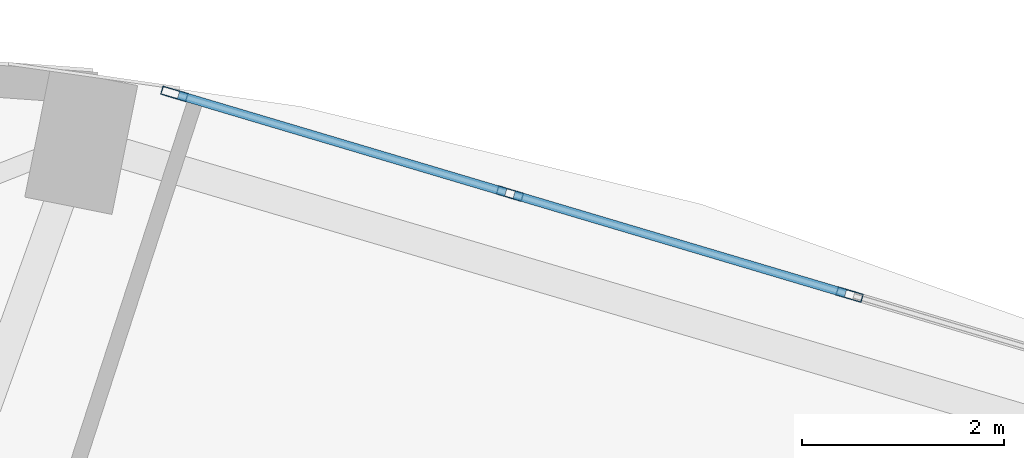
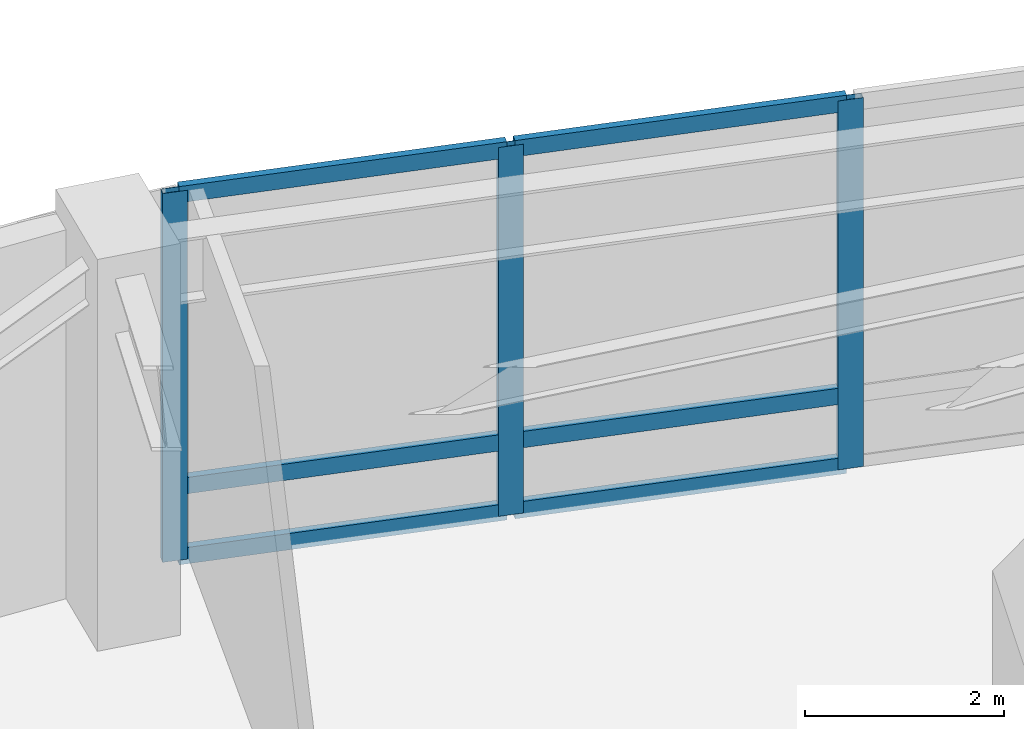
# One storey, part 18 of 24: 9 members, 1 element without a shape of its own.
"""IFC4 building model written with IfcOpenShell, lengths in metres."""

from ifc_helpers import new_model, si_unit, direction, frame, origin, origin_2d, place, context, subcontext, project, spatial, hollow_rectangle, extrude, material, layer, layer_set, material_profile, profile_set, type_object, element, aggregate, save


model = new_model("IFC4")

# Units and contexts
model_context = context("Model", 3, precision=1e-05, world=origin(), true_north=direction((0.0, 1.0)))
body_context = subcontext(model_context, "Body", "Model", "MODEL_VIEW")
ifc_project = project(units=[si_unit("LENGTHUNIT", "METRE"), si_unit("AREAUNIT", "SQUARE_METRE"), si_unit("VOLUMEUNIT", "CUBIC_METRE"), si_unit("PLANEANGLEUNIT", "RADIAN"), si_unit("MASSUNIT", "GRAM", prefix="KILO")], contexts=[model_context])

# Site, building, storey
site_placement = place(None, origin())
site = spatial("IfcSite", under=ifc_project, at=site_placement, CompositionType="ELEMENT")
building_placement = place(site_placement, origin())
building = spatial("IfcBuilding", under=site, at=building_placement, Name="Lazwardi Medical Tower", CompositionType="ELEMENT")
storey_placement = place(building_placement, frame((0.0, 0.0, 6.0)))
storey = spatial("IfcBuildingStorey", under=building, at=storey_placement, Name="L01", CompositionType="ELEMENT", Elevation=6.0)

# Curtain wall, members
ifc_material_1 = material(Name="Anodised bronze aluminium and solar control glazing", Category="aluminium")
ifc_layer = layer(ifc_material_1, 0.219970703125)
ifc_layer_set = layer_set([ifc_layer], Name="Anodised bronze aluminium and solar control glazing")
curtain_wall_type = type_object("IfcCurtainWallType", Name="CW-SYS-01", PredefinedType="NOTDEFINED", material=ifc_layer_set)
curtain_wall_placement = place(storey_placement, origin())
curtain_wall = element("IfcCurtainWall", 1, at=curtain_wall_placement, inside=storey, type_object=curtain_wall_type, Name="L01 Unitised bronze curtain wall CW-01", PredefinedType="NOTDEFINED")
ifc_material_2 = material(Name="Anodised bronze aluminium", Category="aluminium")
ifc_material_profile_1 = material_profile(ifc_material_2, hollow_rectangle(XDim=0.0849609375, YDim=0.260009765625, WallThickness=0.0048828125, at=origin_2d()), Name="ALU-MULLION 260x85x5")
ifc_profile_set_1 = profile_set([ifc_material_profile_1], Name="Anodised bronze aluminium")
member_type_1 = type_object("IfcMemberType", Name="CW-MUL-02", PredefinedType="MULLION", material=ifc_profile_set_1)
member_1_placement = place(storey_placement, frame((49.71240234375, 50.754150390625, 0.0), z_axis=(0.0, 0.0, 1.0), x_axis=(-0.285047195531, -0.958513482597, 0.0)))
member_1 = element("IfcMember", 2, at=member_1_placement, type_object=member_type_1, Name="CW-01 mullion 2", PredefinedType="MULLION", context=body_context, shape_type="SweptSolid", body=[
    extrude(hollow_rectangle(XDim=0.0849609375, YDim=0.260009765625, WallThickness=0.0048828125, at=origin_2d()), origin(), (0.0, 0.0, 1.0), 4.52001953125),
])
member_2_placement = place(storey_placement, frame((46.350341796875, 51.754150390625, 0.0), z_axis=(0.0, 0.0, 1.0), x_axis=(-0.285047195531, -0.958513482597, 0.0)))
member_2 = element("IfcMember", 3, at=member_2_placement, type_object=member_type_1, Name="CW-01 mullion 3", PredefinedType="MULLION", context=body_context, shape_type="SweptSolid", body=[
    extrude(hollow_rectangle(XDim=0.0849609375, YDim=0.260009765625, WallThickness=0.0048828125, at=origin_2d()), origin(), (0.0, 0.0, 1.0), 4.52001953125),
])
member_3_placement = place(storey_placement, frame((43.02880859375, 52.74169921875, 0.0), z_axis=(0.0, 0.0, 1.0), x_axis=(-0.285047195531, -0.958513482597, 0.0)))
member_3 = element("IfcMember", 4, at=member_3_placement, type_object=member_type_1, Name="CW-01 mullion 4", PredefinedType="MULLION", context=body_context, shape_type="SweptSolid", body=[
    extrude(hollow_rectangle(XDim=0.0849609375, YDim=0.260009765625, WallThickness=0.0048828125, at=origin_2d()), origin(), (0.0, 0.0, 1.0), 4.52001953125),
])
ifc_material_profile_2 = material_profile(ifc_material_2, hollow_rectangle(XDim=0.0849609375, YDim=0.199951171875, WallThickness=0.00439453125, at=origin_2d()), Name="ALU-TRANSOM 200x85x4.5")
ifc_profile_set_2 = profile_set([ifc_material_profile_2], Name="Anodised bronze aluminium")
member_type_2 = type_object("IfcMemberType", Name="CW-TRN-02", PredefinedType="USERDEFINED", material=ifc_profile_set_2)
member_4_placement = place(storey_placement, frame((49.671875, 50.766357421875, 0.04248046875), z_axis=(-0.958518450342, 0.285030490219, 0.0), x_axis=(-0.285030490219, -0.958518450342, 0.0)))
member_4 = element("IfcMember", 5, at=member_4_placement, type_object=member_type_2, Name="CW-01 transom 2.1", ObjectType="TRANSOM", PredefinedType="USERDEFINED", context=body_context, shape_type="SweptSolid", body=[
    extrude(hollow_rectangle(XDim=0.0849609375, YDim=0.199951171875, WallThickness=0.00439453125, at=origin_2d()), origin(), (0.0, 0.0, 1.0), 3.4228515625),
])
member_5_placement = place(storey_placement, frame((49.671875, 50.766357421875, 0.89990234375), z_axis=(-0.958518450342, 0.285030490219, 0.0), x_axis=(-0.285030490219, -0.958518450342, 0.0)))
member_5 = element("IfcMember", 6, at=member_5_placement, type_object=member_type_2, Name="CW-01 transom 2.2", ObjectType="TRANSOM", PredefinedType="USERDEFINED", context=body_context, shape_type="SweptSolid", body=[
    extrude(hollow_rectangle(XDim=0.0849609375, YDim=0.199951171875, WallThickness=0.00439453125, at=origin_2d()), origin(), (0.0, 0.0, 1.0), 3.4228515625),
])
member_6_placement = place(storey_placement, frame((49.671875, 50.766357421875, 4.4775390625), z_axis=(-0.958518450342, 0.285030490219, 0.0), x_axis=(-0.285030490219, -0.958518450342, 0.0)))
member_6 = element("IfcMember", 7, at=member_6_placement, type_object=member_type_2, Name="CW-01 transom 2.3", ObjectType="TRANSOM", PredefinedType="USERDEFINED", context=body_context, shape_type="SweptSolid", body=[
    extrude(hollow_rectangle(XDim=0.0849609375, YDim=0.199951171875, WallThickness=0.00439453125, at=origin_2d()), origin(), (0.0, 0.0, 1.0), 3.4228515625),
])
member_7_placement = place(storey_placement, frame((46.3095703125, 51.76611328125, 0.04248046875), z_axis=(-0.958505424522, 0.285074290603, 0.0), x_axis=(-0.285074290603, -0.958505424522, 0.0)))
member_7 = element("IfcMember", 8, at=member_7_placement, type_object=member_type_2, Name="CW-01 transom 3.1", ObjectType="TRANSOM", PredefinedType="USERDEFINED", context=body_context, shape_type="SweptSolid", body=[
    extrude(hollow_rectangle(XDim=0.0849609375, YDim=0.199951171875, WallThickness=0.00439453125, at=origin_2d()), origin(), (0.0, 0.0, 1.0), 3.38037109375),
])
member_8_placement = place(storey_placement, frame((46.3095703125, 51.76611328125, 0.89990234375), z_axis=(-0.958505424522, 0.285074290603, 0.0), x_axis=(-0.285074290603, -0.958505424522, 0.0)))
member_8 = element("IfcMember", 9, at=member_8_placement, type_object=member_type_2, Name="CW-01 transom 3.2", ObjectType="TRANSOM", PredefinedType="USERDEFINED", context=body_context, shape_type="SweptSolid", body=[
    extrude(hollow_rectangle(XDim=0.0849609375, YDim=0.199951171875, WallThickness=0.00439453125, at=origin_2d()), origin(), (0.0, 0.0, 1.0), 3.38037109375),
])
member_9_placement = place(storey_placement, frame((46.3095703125, 51.76611328125, 4.4775390625), z_axis=(-0.958505424522, 0.285074290603, 0.0), x_axis=(-0.285074290603, -0.958505424522, 0.0)))
member_9 = element("IfcMember", 10, at=member_9_placement, type_object=member_type_2, Name="CW-01 transom 3.3", ObjectType="TRANSOM", PredefinedType="USERDEFINED", context=body_context, shape_type="SweptSolid", body=[
    extrude(hollow_rectangle(XDim=0.0849609375, YDim=0.199951171875, WallThickness=0.00439453125, at=origin_2d()), origin(), (0.0, 0.0, 1.0), 3.38037109375),
])
aggregate(curtain_wall, [member_1, member_2, member_3, member_4, member_5, member_6, member_7, member_8, member_9])

save(model, "model.ifc")
